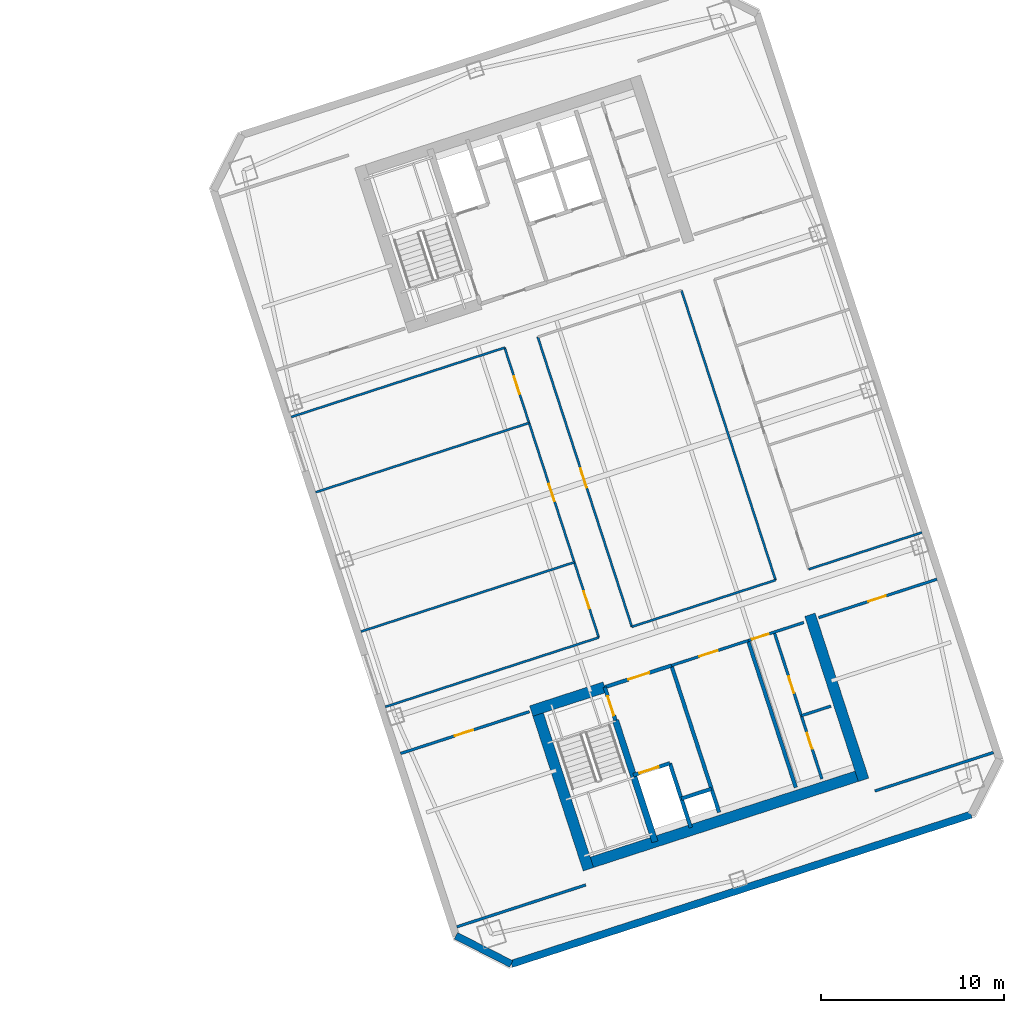
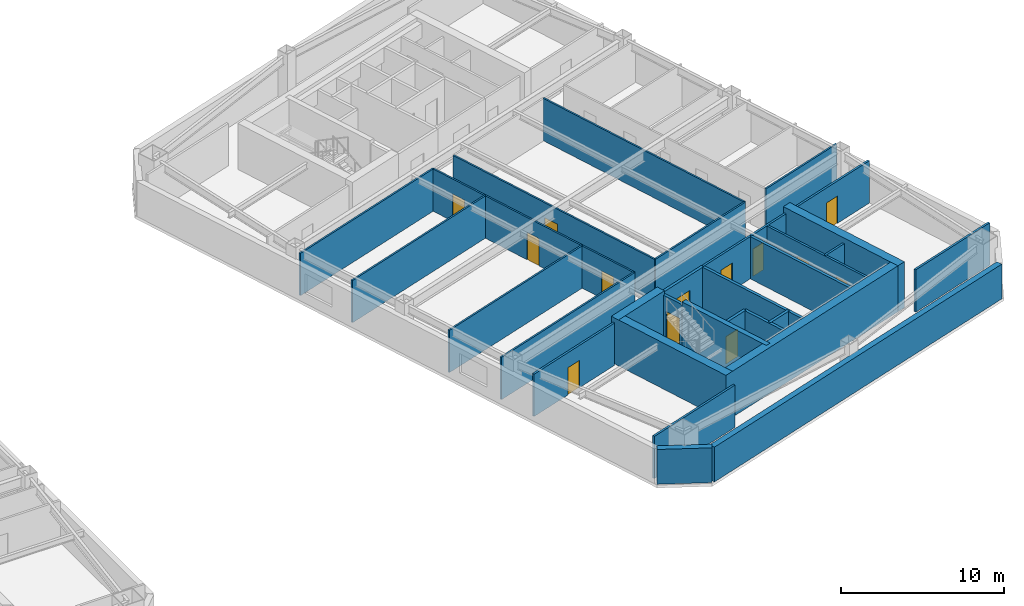
# One storey, part 9 of 14: 31 walls, 13 doors, 13 openings.
"""IFC4 building model written with IfcOpenShell, lengths in metres."""

from ifc_helpers import new_model, si_unit, direction, frame, frame_2d, origin, place, context, subcontext, project, spatial, rectangle, extrude, material, layer, layer_set, type_object, element, fill, save


model = new_model("IFC4")

# Units and contexts
model_context = context("Model", 3, precision=1e-05, world=origin(), true_north=direction((0.0, 1.0)))
body_context = subcontext(model_context, "Body", "Model", "MODEL_VIEW")
ifc_project = project(units=[si_unit("LENGTHUNIT", "METRE"), si_unit("AREAUNIT", "SQUARE_METRE"), si_unit("VOLUMEUNIT", "CUBIC_METRE"), si_unit("PLANEANGLEUNIT", "RADIAN"), si_unit("MASSUNIT", "GRAM", prefix="KILO")], contexts=[model_context])

# Site, building, storey
site_placement = place(None, origin())
site = spatial("IfcSite", under=ifc_project, at=site_placement, CompositionType="ELEMENT")
building_placement = place(site_placement, origin())
building = spatial("IfcBuilding", under=site, at=building_placement, Name="Qiaolan Cultural Towers", CompositionType="ELEMENT")
storey_placement = place(building_placement, frame((0.0, 0.0, 159.85009765625)))
storey = spatial("IfcBuildingStorey", under=building, at=storey_placement, Name="L42", CompositionType="ELEMENT", Elevation=159.85009765625)

# Walls
ifc_material_1 = material(Name="Concrete C50", Category="concrete")
ifc_layer_1 = layer(ifc_material_1, 0.35009765625)
ifc_layer_set_1 = layer_set([ifc_layer_1], Name="Concrete C50")
wall_type_1 = type_object("IfcWallType", Name="WL-CORE-350", PredefinedType="SHEAR", material=ifc_layer_set_1)
wall_1_placement = place(storey_placement, frame((90.486328125, 20.59423828125, 0.0), z_axis=(0.0, 0.0, 1.0), x_axis=(0.309020428229, -0.951055400562, 0.0)))
element("IfcWall", 1, at=wall_1_placement, inside=storey, type_object=wall_type_1, Name="L42 T2-CS Stair Core Dividing Web", PredefinedType="SHEAR", context=body_context, shape_type="SweptSolid", body=[
    extrude(rectangle(XDim=6.97998046875, YDim=0.35009765625, at=frame_2d((3.489990234375, 0.0))), origin(), (0.0, 0.0, 1.0), 3.449951171875),
])
ifc_material_2 = material(Name="Concrete C55", Category="concrete")
ifc_layer_2 = layer(ifc_material_2, 0.60009765625)
ifc_layer_set_2 = layer_set([ifc_layer_2], Name="Concrete C55")
wall_type_2 = type_object("IfcWallType", Name="WL-CORE-600", PredefinedType="SHEAR", material=ifc_layer_set_2)
wall_2_placement = place(storey_placement, frame((88.6298828125, 12.65185546875, 0.0), z_axis=(0.0, 0.0, 1.0), x_axis=(0.95105714907, 0.309015046886, 0.0)))
element("IfcWall", 2, at=wall_2_placement, inside=storey, type_object=wall_type_2, Name="L42 T2-CS Outer Core Shear Wall", PredefinedType="SHEAR", context=body_context, shape_type="SweptSolid", body=[
    extrude(rectangle(XDim=16.400146484375, YDim=0.60009765625, at=frame_2d((8.2001953125, 0.0))), origin(), (0.0, 0.0, 1.0), 3.449951171875),
])
wall_3_placement = place(storey_placement, frame((86.078369140625, 21.47509765625, 0.0), z_axis=(0.0, 0.0, 1.0), x_axis=(0.309017938678, -0.951056209472, 0.0)))
element("IfcWall", 3, at=wall_3_placement, inside=storey, type_object=wall_type_2, Name="L42 T2-CS West Core Shear Wall", PredefinedType="SHEAR", context=body_context, shape_type="SweptSolid", body=[
    extrude(rectangle(XDim=9.479736328125, YDim=0.60009765625, at=frame_2d((4.73974609375, 0.0))), origin(), (0.0, 0.0, 1.0), 3.449951171875),
])
wall_4_placement = place(storey_placement, frame((101.105224609375, 26.357666015625, 0.0), z_axis=(0.0, 0.0, 1.0), x_axis=(0.309010370028, -0.95105866865, 0.0)))
element("IfcWall", 4, at=wall_4_placement, inside=storey, type_object=wall_type_2, Name="L42 T2-CS East Core Shear Wall", PredefinedType="SHEAR", context=body_context, shape_type="SweptSolid", body=[
    extrude(rectangle(XDim=9.47998046875, YDim=0.60009765625, at=frame_2d((4.739990234375, 0.0))), origin(), (0.0, 0.0, 1.0), 3.449951171875),
])
wall_5_placement = place(storey_placement, frame((85.8857421875, 21.09716796875, 0.0), z_axis=(0.0, 0.0, 1.0), x_axis=(0.951068073652, 0.308981422225, 0.0)))
element("IfcWall", 5, at=wall_5_placement, inside=storey, type_object=wall_type_2, Name="L42 T2-CS Stair Front Shear Wall", PredefinedType="SHEAR", context=body_context, shape_type="SweptSolid", body=[
    extrude(rectangle(XDim=4.22021484375, YDim=0.60009765625, at=frame_2d((2.110107421875, 0.0))), origin(), (0.0, 0.0, 1.0), 3.449951171875),
])
ifc_material_3 = material(Name="Precast Concrete C50 Honed Stone Pier", Category="masonry")
ifc_layer_3 = layer(ifc_material_3, 0.39990234375)
ifc_layer_set_3 = layer_set([ifc_layer_3], Name="Precast Concrete C50 Honed Stone Pier")
wall_type_3 = type_object("IfcWallType", Name="WL-EXT-PIER-400", PredefinedType="SOLIDWALL", material=ifc_layer_set_3)
wall_6_placement = place(storey_placement, frame((109.908447265625, 15.44384765625, 0.0), z_axis=(0.0, 0.0, 1.0), x_axis=(-0.951057580055, -0.30901372044, 0.0)))
element("IfcWall", 6, at=wall_6_placement, inside=storey, type_object=wall_type_3, Name="L42 East Tower Precast Pier Facade Wall F7", PredefinedType="SOLIDWALL", context=body_context, shape_type="SweptSolid", body=[
    extrude(rectangle(XDim=26.39990234375, YDim=0.39990234375, at=frame_2d((13.199951171875, 0.0))), origin(), (0.0, 0.0, 1.0), 2.60986328125),
])
wall_7_placement = place(storey_placement, frame((84.800537109375, 7.285888671875, 0.0), z_axis=(0.0, 0.0, 1.0), x_axis=(-0.891020832027, 0.453962417932, 0.0)))
element("IfcWall", 7, at=wall_7_placement, inside=storey, type_object=wall_type_3, Name="L42 East Tower Precast Pier Facade Wall F8", PredefinedType="SOLIDWALL", context=body_context, shape_type="SweptSolid", body=[
    extrude(rectangle(XDim=3.39404296875, YDim=0.39990234375, at=frame_2d((1.697021484375, 0.0))), origin(), (0.0, 0.0, 1.0), 2.60986328125),
])

# Wall, opening, door
ifc_material_4 = material(Name="Concrete C35 Fire Wall", Category="concrete")
ifc_layer_4 = layer(ifc_material_4, 0.199951171875)
ifc_layer_set_4 = layer_set([ifc_layer_4], Name="Concrete C35 Fire Wall")
wall_type_4 = type_object("IfcWallType", Name="WL-FIRE-200", PredefinedType="PARTITIONING", material=ifc_layer_set_4)
wall_8_placement = place(storey_placement, frame((89.8994140625, 22.401123046875, 0.0), z_axis=(0.0, 0.0, 1.0), x_axis=(0.308932062672, -0.951084108086, 0.0)))
wall_8 = element("IfcWall", 8, at=wall_8_placement, inside=storey, type_object=wall_type_4, Name="L42 T2-CS Smokeproof Stair Entry Wall", PredefinedType="PARTITIONING", context=body_context, shape_type="SweptSolid", body=[
    extrude(rectangle(XDim=1.89990234375, YDim=0.199951171875, at=frame_2d((0.949951171875, 0.0))), origin(), (0.0, 0.0, 1.0), 3.1748046875),
])
opening_1_placement = place(wall_8_placement, frame((0.52001953125, 0.0, 0.0)))
opening_1 = element("IfcOpeningElement", 9, at=opening_1_placement, cuts=wall_8, Name="Opening FD-04", PredefinedType="OPENING", context=body_context, shape_type="SweptSolid", body=[
    extrude(rectangle(XDim=1.10009765625, YDim=2.050048828125, at=frame_2d((0.550048828125, 1.02490234375))), frame((0.0, 0.10986328125, 0.0), z_axis=(0.0, -1.0, 0.0), x_axis=(1.0, 0.0, 0.0)), (0.0, 0.0, 1.0), 0.219970703125),
])
ifc_material_5 = material(Name="Galvanized Steel Command Fire Door", Category="steel")
door_type_1 = type_object("IfcDoorType", Name="DR-FD90-1100", OperationType="NOTDEFINED", PredefinedType="DOOR", material=ifc_material_5)
door_1_placement = place(opening_1_placement, origin())
door_1 = element("IfcDoor", 10, at=door_1_placement, inside=storey, type_object=door_type_1, Name="L42 ST-E1 Smokeproof Stair Fire Door", OperationType="SINGLE_SWING_LEFT", OverallHeight=2.050048828125, OverallWidth=1.10009765625, PredefinedType="DOOR", context=body_context, shape_type="SweptSolid", body=[
    extrude(rectangle(XDim=1.10009765625, YDim=2.050048828125, at=frame_2d((0.550048828125, 1.02490234375))), frame((0.0, 0.02490234375, 0.0), z_axis=(0.0, -1.0, 0.0), x_axis=(1.0, 0.0, 0.0)), (0.0, 0.0, 1.0), 0.050048828125),
])
fill(opening_1, door_1)

# Wall
wall_9_placement = place(storey_placement, frame((93.541748046875, 23.584716796875, 0.0), z_axis=(0.0, 0.0, 1.0), x_axis=(0.309042196757, -0.951048327176, 0.0)))
element("IfcWall", 11, at=wall_9_placement, inside=storey, type_object=wall_type_4, Name="L42 T2-CS Firefighting Zone Wall", PredefinedType="PARTITIONING", context=body_context, shape_type="SweptSolid", body=[
    extrude(rectangle(XDim=8.429931640625, YDim=0.199951171875, at=frame_2d((4.21484375, 0.0))), origin(), (0.0, 0.0, 1.0), 3.1748046875),
])

# Wall, opening, door
wall_10_placement = place(storey_placement, frame((89.8994140625, 22.401123046875, 0.0), z_axis=(0.0, 0.0, 1.0), x_axis=(0.951046716504, 0.309047153403, 0.0)))
wall_10 = element("IfcWall", 12, at=wall_10_placement, inside=storey, type_object=wall_type_4, Name="L42 T2-CS Firefighting Lobby Front Wall", PredefinedType="PARTITIONING", context=body_context, shape_type="SweptSolid", body=[
    extrude(rectangle(XDim=3.829833984375, YDim=0.199951171875, at=frame_2d((1.9150390625, 0.0))), origin(), (0.0, 0.0, 1.0), 3.1748046875),
])
opening_2_placement = place(wall_10_placement, frame((1.35009765625, 0.0, 0.0)))
opening_2 = element("IfcOpeningElement", 13, at=opening_2_placement, cuts=wall_10, Name="Opening FD-03", PredefinedType="OPENING", context=body_context, shape_type="SweptSolid", body=[
    extrude(rectangle(XDim=1.199951171875, YDim=2.050048828125, at=frame_2d((0.60009765625, 1.02490234375))), frame((0.0, 0.10986328125, 0.0), z_axis=(0.0, -1.0, 0.0), x_axis=(1.0, 0.0, 0.0)), (0.0, 0.0, 1.0), 0.219970703125),
])
ifc_material_6 = material(Name="Galvanized Steel Smokeproof Lobby Fire Door", Category="steel")
door_type_2 = type_object("IfcDoorType", Name="DR-FD90-1200", OperationType="NOTDEFINED", PredefinedType="DOOR", material=ifc_material_6)
door_2_placement = place(opening_2_placement, origin())
door_2 = element("IfcDoor", 14, at=door_2_placement, inside=storey, type_object=door_type_2, Name="L42 FFL-E1 Firefighting Lobby Fire Door", OperationType="SINGLE_SWING_LEFT", OverallHeight=2.050048828125, OverallWidth=1.199951171875, PredefinedType="DOOR", context=body_context, shape_type="SweptSolid", body=[
    extrude(rectangle(XDim=1.199951171875, YDim=2.050048828125, at=frame_2d((0.60009765625, 1.02490234375))), frame((0.0, 0.02490234375, 0.0), z_axis=(0.0, -1.0, 0.0), x_axis=(1.0, 0.0, 0.0)), (0.0, 0.0, 1.0), 0.050048828125),
])
fill(opening_2, door_2)

wall_11_placement = place(storey_placement, frame((91.459716796875, 17.598388671875, 0.0), z_axis=(0.0, 0.0, 1.0), x_axis=(0.951062257173, 0.308999325213, 0.0)))
wall_11 = element("IfcWall", 15, at=wall_11_placement, inside=storey, type_object=wall_type_4, Name="L42 T2-CS Firefighting Shaft Front Wall", PredefinedType="PARTITIONING", context=body_context, shape_type="SweptSolid", body=[
    extrude(rectangle(XDim=2.10009765625, YDim=0.199951171875, at=frame_2d((1.050048828125, 0.0))), origin(), (0.0, 0.0, 1.0), 3.1748046875),
])
opening_3_placement = place(wall_11_placement, frame((0.35009765625, 0.0, 0.0)))
opening_3 = element("IfcOpeningElement", 16, at=opening_3_placement, cuts=wall_11, Name="Opening LD-01", PredefinedType="OPENING", context=body_context, shape_type="SweptSolid", body=[
    extrude(rectangle(XDim=1.10009765625, YDim=2.050048828125, at=frame_2d((0.550048828125, 1.02490234375))), frame((0.0, 0.10986328125, 0.0), z_axis=(0.0, -1.0, 0.0), x_axis=(1.0, 0.0, 0.0)), (0.0, 0.0, 1.0), 0.219970703125),
])
ifc_material_7 = material(Name="Brushed Stainless Steel S30408 Centre-Parting Lift Landing Door", Category="steel")
door_type_3 = type_object("IfcDoorType", Name="DR-LIFT-1100", OperationType="NOTDEFINED", PredefinedType="DOOR", material=ifc_material_7)
door_3_placement = place(opening_3_placement, origin())
door_3 = element("IfcDoor", 17, at=door_3_placement, inside=storey, type_object=door_type_3, Name="L42 FFL-E1 Firefighting Lift Landing Door", OperationType="DOUBLE_DOOR_SLIDING", OverallHeight=2.050048828125, OverallWidth=1.10009765625, PredefinedType="DOOR", context=body_context, shape_type="SweptSolid", body=[
    extrude(rectangle(XDim=1.10009765625, YDim=2.050048828125, at=frame_2d((0.550048828125, 1.02490234375))), frame((0.0, 0.02490234375, 0.0), z_axis=(0.0, -1.0, 0.0), x_axis=(1.0, 0.0, 0.0)), (0.0, 0.0, 1.0), 0.050048828125),
])
fill(opening_3, door_3)

# Walls
wall_12_placement = place(storey_placement, frame((93.45703125, 18.247314453125, 0.0), z_axis=(0.0, 0.0, 1.0), x_axis=(0.3089935693, -0.951064127245, 0.0)))
element("IfcWall", 18, at=wall_12_placement, inside=storey, type_object=wall_type_4, Name="L42 T2-CS Firefighting Hoistway East Wall", PredefinedType="PARTITIONING", context=body_context, shape_type="SweptSolid", body=[
    extrude(rectangle(XDim=3.7001953125, YDim=0.199951171875, at=frame_2d((1.85009765625, 0.0))), origin(), (0.0, 0.0, 1.0), 3.1748046875),
])
wall_13_placement = place(storey_placement, frame((94.08447265625, 16.316650390625, 0.0), z_axis=(0.0, 0.0, 1.0), x_axis=(0.951041328149, 0.309063734775, 0.0)))
element("IfcWall", 19, at=wall_13_placement, inside=storey, type_object=wall_type_4, Name="L42 T2-CS Pressurization Shaft Front Wall", PredefinedType="PARTITIONING", context=body_context, shape_type="SweptSolid", body=[
    extrude(rectangle(XDim=1.72998046875, YDim=0.199951171875, at=frame_2d((0.864990234375, 0.0))), origin(), (0.0, 0.0, 1.0), 3.1748046875),
])
wall_14_placement = place(storey_placement, frame((97.7265625, 24.9443359375, 0.0), z_axis=(0.0, 0.0, 1.0), x_axis=(0.309016001439, -0.951056838919, 0.0)))
element("IfcWall", 20, at=wall_14_placement, inside=storey, type_object=wall_type_4, Name="L42 T2-CS Lift Core East Wall", PredefinedType="PARTITIONING", context=body_context, shape_type="SweptSolid", body=[
    extrude(rectangle(XDim=8.429931640625, YDim=0.199951171875, at=frame_2d((4.21484375, 0.0))), origin(), (0.0, 0.0, 1.0), 3.1748046875),
])
ifc_material_8 = material(Name="Gypsum Stud Acoustic Partition", Category="gypsum")
ifc_layer_5 = layer(ifc_material_8, 0.1201171875)
ifc_layer_set_5 = layer_set([ifc_layer_5], Name="Gypsum Stud Acoustic Partition")
wall_type_5 = type_object("IfcWallType", Name="WL-PART-120", PredefinedType="PARTITIONING", material=ifc_layer_set_5)
wall_15_placement = place(storey_placement, frame((77.9248046875, 21.328369140625, 0.0), z_axis=(0.0, 0.0, 1.0), x_axis=(0.95105749975, 0.309013967595, 0.0)))
element("IfcWall", 21, at=wall_15_placement, inside=storey, type_object=wall_type_5, Name="L42 T2 Interior Wall", PredefinedType="PARTITIONING", context=body_context, shape_type="SweptSolid", body=[
    extrude(rectangle(XDim=12.25, YDim=0.1201171875, at=frame_2d((6.125, 0.0))), origin(), (0.0, 0.0, 1.0), 3.1748046875),
])
wall_16_placement = place(storey_placement, frame((91.382080078125, 25.700927734375, 0.0), z_axis=(0.0, 0.0, 1.0), x_axis=(0.951061683147, 0.309001091988, 0.0)))
element("IfcWall", 22, at=wall_16_placement, inside=storey, type_object=wall_type_5, Name="L42 T2 Interior Wall", PredefinedType="PARTITIONING", context=body_context, shape_type="SweptSolid", body=[
    extrude(rectangle(XDim=8.250244140625, YDim=0.1201171875, at=frame_2d((4.125, 0.0))), origin(), (0.0, 0.0, 1.0), 3.1748046875),
])
wall_17_placement = place(storey_placement, frame((101.035400390625, 28.83740234375, 0.0), z_axis=(0.0, 0.0, 1.0), x_axis=(0.95104869662, 0.309041059824, 0.0)))
element("IfcWall", 23, at=wall_17_placement, inside=storey, type_object=wall_type_5, Name="L42 T2 Interior Wall", PredefinedType="PARTITIONING", context=body_context, shape_type="SweptSolid", body=[
    extrude(rectangle(XDim=6.5, YDim=0.1201171875, at=frame_2d((3.25, 0.0))), origin(), (0.0, 0.0, 1.0), 3.1748046875),
])
wall_18_placement = place(storey_placement, frame((72.78271484375, 37.15380859375, 0.0), z_axis=(0.0, 0.0, 1.0), x_axis=(0.9510516424, 0.30903199428, 0.0)))
element("IfcWall", 24, at=wall_18_placement, inside=storey, type_object=wall_type_5, Name="L42 T2 Interior Wall", PredefinedType="PARTITIONING", context=body_context, shape_type="SweptSolid", body=[
    extrude(rectangle(XDim=12.25, YDim=0.1201171875, at=frame_2d((6.125, 0.0))), origin(), (0.0, 0.0, 1.0), 3.1748046875),
])

# Wall, openings, doors
wall_19_placement = place(storey_placement, frame((89.5751953125, 25.11376953125, 0.0), z_axis=(0.0, 0.0, 1.0), x_axis=(-0.30901773025, 0.951056277195, 0.0)))
wall_19 = element("IfcWall", 25, at=wall_19_placement, inside=storey, type_object=wall_type_5, Name="L42 T2 Interior Wall", PredefinedType="PARTITIONING", context=body_context, shape_type="SweptSolid", body=[
    extrude(rectangle(XDim=16.64013671875, YDim=0.1201171875, at=frame_2d((8.320068359375, 0.0))), origin(), (0.0, 0.0, 1.0), 3.1748046875),
])
opening_4_placement = place(wall_19_placement, frame((1.659912109375, 0.0, 0.0)))
opening_4 = element("IfcOpeningElement", 26, at=opening_4_placement, cuts=wall_19, Name="Opening ID-04", PredefinedType="OPENING", context=body_context, shape_type="SweptSolid", body=[
    extrude(rectangle(XDim=1.0, YDim=2.050048828125, at=frame_2d((0.5, 1.02490234375))), frame((0.0, 0.070068359375, 0.0), z_axis=(0.0, -1.0, 0.0), x_axis=(1.0, 0.0, 0.0)), (0.0, 0.0, 1.0), 0.14013671875),
])
opening_5_placement = place(wall_19_placement, frame((7.820068359375, 0.0, 0.0)))
opening_5 = element("IfcOpeningElement", 27, at=opening_5_placement, cuts=wall_19, Name="Opening ID-04", PredefinedType="OPENING", context=body_context, shape_type="SweptSolid", body=[
    extrude(rectangle(XDim=1.0, YDim=2.050048828125, at=frame_2d((0.5, 1.02490234375))), frame((0.0, 0.070068359375, 0.0), z_axis=(0.0, -1.0, 0.0), x_axis=(1.0, 0.0, 0.0)), (0.0, 0.0, 1.0), 0.14013671875),
])
opening_6_placement = place(wall_19_placement, frame((13.97998046875, 0.0, 0.0)))
opening_6 = element("IfcOpeningElement", 28, at=opening_6_placement, cuts=wall_19, Name="Opening ID-04", PredefinedType="OPENING", context=body_context, shape_type="SweptSolid", body=[
    extrude(rectangle(XDim=1.0, YDim=2.050048828125, at=frame_2d((0.5, 1.02490234375))), frame((0.0, 0.070068359375, 0.0), z_axis=(0.0, -1.0, 0.0), x_axis=(1.0, 0.0, 0.0)), (0.0, 0.0, 1.0), 0.14013671875),
])
ifc_material_9 = material(Name="Oak Veneer Acoustic Office Door", Category="timber")
door_type_4 = type_object("IfcDoorType", Name="DR-INT-1000", OperationType="NOTDEFINED", PredefinedType="DOOR", material=ifc_material_9)
door_4_placement = place(opening_4_placement, origin())
door_4 = element("IfcDoor", 29, at=door_4_placement, inside=storey, type_object=door_type_4, Name="L42 T2 Members Sky Club Door", OperationType="SINGLE_SWING_LEFT", OverallHeight=2.050048828125, OverallWidth=1.0, PredefinedType="DOOR", context=body_context, shape_type="SweptSolid", body=[
    extrude(rectangle(XDim=1.0, YDim=2.050048828125, at=frame_2d((0.5, 1.02490234375))), frame((0.0, 0.02490234375, 0.0), z_axis=(0.0, -1.0, 0.0), x_axis=(1.0, 0.0, 0.0)), (0.0, 0.0, 1.0), 0.050048828125),
])
fill(opening_4, door_4)
door_5_placement = place(opening_5_placement, origin())
door_5 = element("IfcDoor", 30, at=door_5_placement, inside=storey, type_object=door_type_4, Name="L42 T2 Members Sky Club Door", OperationType="SINGLE_SWING_RIGHT", OverallHeight=2.050048828125, OverallWidth=1.0, PredefinedType="DOOR", context=body_context, shape_type="SweptSolid", body=[
    extrude(rectangle(XDim=1.0, YDim=2.050048828125, at=frame_2d((0.5, 1.02490234375))), frame((0.0, 0.02490234375, 0.0), z_axis=(0.0, -1.0, 0.0), x_axis=(1.0, 0.0, 0.0)), (0.0, 0.0, 1.0), 0.050048828125),
])
fill(opening_5, door_5)
door_6_placement = place(opening_6_placement, origin())
door_6 = element("IfcDoor", 31, at=door_6_placement, inside=storey, type_object=door_type_4, Name="L42 T2 Members Sky Club Door", OperationType="SINGLE_SWING_LEFT", OverallHeight=2.050048828125, OverallWidth=1.0, PredefinedType="DOOR", context=body_context, shape_type="SweptSolid", body=[
    extrude(rectangle(XDim=1.0, YDim=2.050048828125, at=frame_2d((0.5, 1.02490234375))), frame((0.0, 0.02490234375, 0.0), z_axis=(0.0, -1.0, 0.0), x_axis=(1.0, 0.0, 0.0)), (0.0, 0.0, 1.0), 0.050048828125),
])
fill(opening_6, door_6)

# Wall, opening, door
wall_20_placement = place(storey_placement, frame((91.382080078125, 25.700927734375, 0.0), z_axis=(0.0, 0.0, 1.0), x_axis=(-0.309004459387, 0.951060589068, 0.0)))
wall_20 = element("IfcWall", 32, at=wall_20_placement, inside=storey, type_object=wall_type_5, Name="L42 T2 Interior Wall", PredefinedType="PARTITIONING", context=body_context, shape_type="SweptSolid", body=[
    extrude(rectangle(XDim=16.64013671875, YDim=0.1201171875, at=frame_2d((8.320068359375, 0.0))), origin(), (0.0, 0.0, 1.0), 3.1748046875),
])
opening_7_placement = place(wall_20_placement, frame((7.9873046875, 0.0, 0.0)))
opening_7 = element("IfcOpeningElement", 33, at=opening_7_placement, cuts=wall_20, Name="Opening ID-03", PredefinedType="OPENING", context=body_context, shape_type="SweptSolid", body=[
    extrude(rectangle(XDim=1.10009765625, YDim=2.050048828125, at=frame_2d((0.550048828125, 1.02490234375))), frame((0.0, 0.070068359375, 0.0), z_axis=(0.0, -1.0, 0.0), x_axis=(1.0, 0.0, 0.0)), (0.0, 0.0, 1.0), 0.14013671875),
])
ifc_material_10 = material(Name="Oak Veneer Solid-Core Boardroom Door", Category="timber")
door_type_5 = type_object("IfcDoorType", Name="DR-INT-1100", OperationType="NOTDEFINED", PredefinedType="DOOR", material=ifc_material_10)
door_7_placement = place(opening_7_placement, origin())
door_7 = element("IfcDoor", 34, at=door_7_placement, inside=storey, type_object=door_type_5, Name="L42 T2 Central Colloquium Hall Door", OperationType="SINGLE_SWING_LEFT", OverallHeight=2.050048828125, OverallWidth=1.10009765625, PredefinedType="DOOR", context=body_context, shape_type="SweptSolid", body=[
    extrude(rectangle(XDim=1.10009765625, YDim=2.050048828125, at=frame_2d((0.550048828125, 1.02490234375))), frame((0.0, 0.02490234375, 0.0), z_axis=(0.0, -1.0, 0.0), x_axis=(1.0, 0.0, 0.0)), (0.0, 0.0, 1.0), 0.050048828125),
])
fill(opening_7, door_7)

# Walls
wall_21_placement = place(storey_placement, frame((99.228515625, 28.250244140625, 0.0), z_axis=(0.0, 0.0, 1.0), x_axis=(-0.30901773025, 0.951056277195, 0.0)))
element("IfcWall", 35, at=wall_21_placement, inside=storey, type_object=wall_type_5, Name="L42 T2 Interior Wall", PredefinedType="PARTITIONING", context=body_context, shape_type="SweptSolid", body=[
    extrude(rectangle(XDim=16.64013671875, YDim=0.1201171875, at=frame_2d((8.320068359375, 0.0))), origin(), (0.0, 0.0, 1.0), 3.1748046875),
])
for number, where, z_axis, x_axis, name in (
    (36, (76.58984375, 25.43701171875, 0.0), (0.0, 0.0, 1.0), (0.95105749975, 0.309013967595, 0.0), "L42 T2 Interior Wall"),
    (37, (74.11767578125, 33.04541015625, 0.0), (0.0, 0.0, 1.0), (0.95105749975, 0.309013967595, 0.0), "L42 T2 Interior Wall"),
):
    element("IfcWall", number, at=place(storey_placement, frame(where, z_axis=z_axis, x_axis=x_axis)), inside=storey, type_object=wall_type_5, Name=name, PredefinedType="PARTITIONING", context=body_context, shape_type="SweptSolid", body=[
        extrude(rectangle(XDim=12.25, YDim=0.1201171875, at=frame_2d((6.125, 0.0))), origin(), (0.0, 0.0, 1.0), 3.1748046875),
    ])

# Wall, opening, door
ifc_material_11 = material(Name="Autoclaved Aerated Concrete Block B06", Category="concrete")
ifc_layer_6 = layer(ifc_material_11, 0.14990234375)
ifc_layer_set_6 = layer_set([ifc_layer_6], Name="Autoclaved Aerated Concrete Block B06")
wall_type_6 = type_object("IfcWallType", Name="WL-PART-150", PredefinedType="PARTITIONING", material=ifc_layer_set_6)
wall_22_placement = place(storey_placement, frame((93.541748046875, 23.584716796875, 0.0), z_axis=(0.0, 0.0, 1.0), x_axis=(0.951063829732, 0.308994485023, 0.0)))
wall_22 = element("IfcWall", 38, at=wall_22_placement, inside=storey, type_object=wall_type_6, Name="L42 T2-CS Reclaimed Core Room Front Wall", PredefinedType="PARTITIONING", context=body_context, shape_type="SweptSolid", body=[
    extrude(rectangle(XDim=4.400146484375, YDim=0.14990234375, at=frame_2d((2.2001953125, 0.0))), origin(), (0.0, 0.0, 1.0), 3.1748046875),
])
opening_8_placement = place(wall_22_placement, frame((1.60009765625, 0.0, 0.0)))
opening_8 = element("IfcOpeningElement", 39, at=opening_8_placement, cuts=wall_22, Name="Opening ID-07", PredefinedType="OPENING", context=body_context, shape_type="SweptSolid", body=[
    extrude(rectangle(XDim=1.050048828125, YDim=2.050048828125, at=frame_2d((0.52490234375, 1.02490234375))), frame((0.0, 0.0849609375, 0.0), z_axis=(0.0, -1.0, 0.0), x_axis=(1.0, 0.0, 0.0)), (0.0, 0.0, 1.0), 0.169921875),
])
ifc_material_12 = material(Name="Oak Veneer Consultation Door", Category="timber")
door_type_6 = type_object("IfcDoorType", Name="DR-INT-1050", OperationType="NOTDEFINED", PredefinedType="DOOR", material=ifc_material_12)
door_8_placement = place(opening_8_placement, origin())
door_8 = element("IfcDoor", 40, at=door_8_placement, inside=storey, type_object=door_type_6, Name="L42 Reclaimed Archive Room Door", OperationType="SINGLE_SWING_LEFT", OverallHeight=2.050048828125, OverallWidth=1.050048828125, PredefinedType="DOOR", context=body_context, shape_type="SweptSolid", body=[
    extrude(rectangle(XDim=1.050048828125, YDim=2.050048828125, at=frame_2d((0.52490234375, 1.02490234375))), frame((0.0, 0.02490234375, 0.0), z_axis=(0.0, -1.0, 0.0), x_axis=(1.0, 0.0, 0.0)), (0.0, 0.0, 1.0), 0.050048828125),
])
fill(opening_8, door_8)

wall_23_placement = place(storey_placement, frame((97.7265625, 24.9443359375, 0.0), z_axis=(0.0, 0.0, 1.0), x_axis=(0.951036872128, 0.309077446369, 0.0)))
wall_23 = element("IfcWall", 41, at=wall_23_placement, inside=storey, type_object=wall_type_6, Name="L42 T2-CS Sanitary Core Front Wall", PredefinedType="PARTITIONING", context=body_context, shape_type="SweptSolid", body=[
    extrude(rectangle(XDim=3.199951171875, YDim=0.14990234375, at=frame_2d((1.60009765625, 0.0))), origin(), (0.0, 0.0, 1.0), 3.1748046875),
])
opening_9_placement = place(wall_23_placement, frame((0.219970703125, 0.0, 0.0)))
opening_9 = element("IfcOpeningElement", 42, at=opening_9_placement, cuts=wall_23, Name="Opening ID-05", PredefinedType="OPENING", context=body_context, shape_type="SweptSolid", body=[
    extrude(rectangle(XDim=0.949951171875, YDim=2.050048828125, at=frame_2d((0.47509765625, 1.02490234375))), frame((0.0, 0.0849609375, 0.0), z_axis=(0.0, -1.0, 0.0), x_axis=(1.0, 0.0, 0.0)), (0.0, 0.0, 1.0), 0.169921875),
])
ifc_material_13 = material(Name="Fire-Rated Laminate Accessible Core Door", Category="timber")
door_type_7 = type_object("IfcDoorType", Name="DR-INT-950", OperationType="NOTDEFINED", PredefinedType="DOOR", material=ifc_material_13)
door_9_placement = place(opening_9_placement, origin())
door_9 = element("IfcDoor", 43, at=door_9_placement, inside=storey, type_object=door_type_7, Name="L42 Sanitary Lobby Door", OperationType="SINGLE_SWING_LEFT", OverallHeight=2.050048828125, OverallWidth=0.949951171875, PredefinedType="DOOR", context=body_context, shape_type="SweptSolid", body=[
    extrude(rectangle(XDim=0.949951171875, YDim=2.050048828125, at=frame_2d((0.47509765625, 1.02490234375))), frame((0.0, 0.02490234375, 0.0), z_axis=(0.0, -1.0, 0.0), x_axis=(1.0, 0.0, 0.0)), (0.0, 0.0, 1.0), 0.050048828125),
])
fill(opening_9, door_9)

# Wall, openings, doors
wall_24_placement = place(storey_placement, frame((99.153076171875, 25.407958984375, 0.0), z_axis=(0.0, 0.0, 1.0), x_axis=(0.309016001439, -0.951056838919, 0.0)))
wall_24 = element("IfcWall", 44, at=wall_24_placement, inside=storey, type_object=wall_type_6, Name="L42 T2-CS Washroom Split Wall", PredefinedType="PARTITIONING", context=body_context, shape_type="SweptSolid", body=[
    extrude(rectangle(XDim=8.429931640625, YDim=0.14990234375, at=frame_2d((4.21484375, 0.0))), origin(), (0.0, 0.0, 1.0), 3.1748046875),
])
opening_10_placement = place(wall_24_placement, frame((2.550048828125, 0.0, 0.0)))
opening_10 = element("IfcOpeningElement", 45, at=opening_10_placement, cuts=wall_24, Name="Opening ID-05", PredefinedType="OPENING", context=body_context, shape_type="SweptSolid", body=[
    extrude(rectangle(XDim=0.949951171875, YDim=2.050048828125, at=frame_2d((0.47509765625, 1.02490234375))), frame((0.0, 0.0849609375, 0.0), z_axis=(0.0, -1.0, 0.0), x_axis=(1.0, 0.0, 0.0)), (0.0, 0.0, 1.0), 0.169921875),
])
opening_11_placement = place(wall_24_placement, frame((5.800048828125, 0.0, 0.0)))
opening_11 = element("IfcOpeningElement", 46, at=opening_11_placement, cuts=wall_24, Name="Opening ID-06", PredefinedType="OPENING", context=body_context, shape_type="SweptSolid", body=[
    extrude(rectangle(XDim=0.89990234375, YDim=2.050048828125, at=frame_2d((0.449951171875, 1.02490234375))), frame((0.0, 0.0849609375, 0.0), z_axis=(0.0, -1.0, 0.0), x_axis=(1.0, 0.0, 0.0)), (0.0, 0.0, 1.0), 0.169921875),
])
ifc_material_14 = material(Name="Fire-Rated Laminate Core Service Door", Category="timber")
door_type_8 = type_object("IfcDoorType", Name="DR-INT-900", OperationType="NOTDEFINED", PredefinedType="DOOR", material=ifc_material_14)
door_10_placement = place(opening_11_placement, origin())
door_10 = element("IfcDoor", 47, at=door_10_placement, inside=storey, type_object=door_type_8, Name="L42 First-Aid Room Door", OperationType="SINGLE_SWING_RIGHT", OverallHeight=2.050048828125, OverallWidth=0.89990234375, PredefinedType="DOOR", context=body_context, shape_type="SweptSolid", body=[
    extrude(rectangle(XDim=0.89990234375, YDim=2.050048828125, at=frame_2d((0.449951171875, 1.02490234375))), frame((0.0, 0.02490234375, 0.0), z_axis=(0.0, -1.0, 0.0), x_axis=(1.0, 0.0, 0.0)), (0.0, 0.0, 1.0), 0.050048828125),
])
fill(opening_11, door_10)
door_11_placement = place(opening_10_placement, origin())
door_11 = element("IfcDoor", 48, at=door_11_placement, inside=storey, type_object=door_type_7, Name="L42 Accessible Washroom Door", OperationType="SINGLE_SWING_LEFT", OverallHeight=2.050048828125, OverallWidth=0.949951171875, PredefinedType="DOOR", context=body_context, shape_type="SweptSolid", body=[
    extrude(rectangle(XDim=0.949951171875, YDim=2.050048828125, at=frame_2d((0.47509765625, 1.02490234375))), frame((0.0, 0.02490234375, 0.0), z_axis=(0.0, -1.0, 0.0), x_axis=(1.0, 0.0, 0.0)), (0.0, 0.0, 1.0), 0.050048828125),
])
fill(opening_10, door_11)

# Walls
wall_25_placement = place(storey_placement, frame((100.636474609375, 20.8427734375, 0.0), z_axis=(0.0, 0.0, 1.0), x_axis=(0.951040401051, 0.309066587596, 0.0)))
element("IfcWall", 49, at=wall_25_placement, inside=storey, type_object=wall_type_6, Name="L42 T2-CS First-Aid Wall", PredefinedType="PARTITIONING", context=body_context, shape_type="SweptSolid", body=[
    extrude(rectangle(XDim=1.699951171875, YDim=0.14990234375, at=frame_2d((0.85009765625, 0.0))), origin(), (0.0, 0.0, 1.0), 3.1748046875),
])
wall_26_placement = place(storey_placement, frame((81.82763671875, 9.31640625, 0.0), z_axis=(0.0, 0.0, 1.0), x_axis=(0.95105128112, 0.309033106124, 0.0)))
element("IfcWall", 50, at=wall_26_placement, inside=storey, type_object=wall_type_6, Name="L42 T2 Flank Wall FLK-SW", PredefinedType="PARTITIONING", context=body_context, shape_type="SweptSolid", body=[
    extrude(rectangle(XDim=7.400146484375, YDim=0.14990234375, at=frame_2d((3.7001953125, 0.0))), origin(), (0.0, 0.0, 1.0), 3.1748046875),
])

# Wall, opening, door
wall_27_placement = place(storey_placement, frame((78.7529296875, 18.779541015625, 0.0), z_axis=(0.0, 0.0, 1.0), x_axis=(0.951060977215, 0.309003264738, 0.0)))
wall_27 = element("IfcWall", 51, at=wall_27_placement, inside=storey, type_object=wall_type_6, Name="L42 T2 Flank Front FLK-SW", PredefinedType="PARTITIONING", context=body_context, shape_type="SweptSolid", body=[
    extrude(rectangle(XDim=7.39990234375, YDim=0.14990234375, at=frame_2d((3.699951171875, 0.0))), origin(), (0.0, 0.0, 1.0), 3.1748046875),
])
opening_12_placement = place(wall_27_placement, frame((3.10791015625, 0.0, 0.0)))
opening_12 = element("IfcOpeningElement", 52, at=opening_12_placement, cuts=wall_27, Name="Opening ID-07", PredefinedType="OPENING", context=body_context, shape_type="SweptSolid", body=[
    extrude(rectangle(XDim=1.050048828125, YDim=2.050048828125, at=frame_2d((0.52490234375, 1.02490234375))), frame((0.0, 0.0849609375, 0.0), z_axis=(0.0, -1.0, 0.0), x_axis=(1.0, 0.0, 0.0)), (0.0, 0.0, 1.0), 0.169921875),
])
door_12_placement = place(opening_12_placement, origin())
door_12 = element("IfcDoor", 53, at=door_12_placement, inside=storey, type_object=door_type_6, Name="L42 T2 Corner Studio Door", OperationType="SINGLE_SWING_LEFT", OverallHeight=2.050048828125, OverallWidth=1.050048828125, PredefinedType="DOOR", context=body_context, shape_type="SweptSolid", body=[
    extrude(rectangle(XDim=1.050048828125, YDim=2.050048828125, at=frame_2d((0.52490234375, 1.02490234375))), frame((0.0, 0.02490234375, 0.0), z_axis=(0.0, -1.0, 0.0), x_axis=(1.0, 0.0, 0.0)), (0.0, 0.0, 1.0), 0.050048828125),
])
fill(opening_12, door_12)

# Wall
wall_28_placement = place(storey_placement, frame((104.653076171875, 16.73291015625, 0.0), z_axis=(0.0, 0.0, 1.0), x_axis=(0.951054383043, 0.309023559774, 0.0)))
element("IfcWall", 54, at=wall_28_placement, inside=storey, type_object=wall_type_6, Name="L42 T2 Flank Wall FLK-SE", PredefinedType="PARTITIONING", context=body_context, shape_type="SweptSolid", body=[
    extrude(rectangle(XDim=6.7998046875, YDim=0.14990234375, at=frame_2d((3.39990234375, 0.0))), origin(), (0.0, 0.0, 1.0), 3.1748046875),
])

# Wall, opening, door
wall_29_placement = place(storey_placement, frame((101.578369140625, 26.196044921875, 0.0), z_axis=(0.0, 0.0, 1.0), x_axis=(0.951064934653, 0.308991084134, 0.0)))
wall_29 = element("IfcWall", 55, at=wall_29_placement, inside=storey, type_object=wall_type_6, Name="L42 T2 Flank Front FLK-SE", PredefinedType="PARTITIONING", context=body_context, shape_type="SweptSolid", body=[
    extrude(rectangle(XDim=6.7998046875, YDim=0.14990234375, at=frame_2d((3.39990234375, 0.0))), origin(), (0.0, 0.0, 1.0), 3.1748046875),
])
opening_13_placement = place(wall_29_placement, frame((2.85595703125, 0.0, 0.0)))
opening_13 = element("IfcOpeningElement", 56, at=opening_13_placement, cuts=wall_29, Name="Opening ID-04", PredefinedType="OPENING", context=body_context, shape_type="SweptSolid", body=[
    extrude(rectangle(XDim=1.0, YDim=2.050048828125, at=frame_2d((0.5, 1.02490234375))), frame((0.0, 0.0849609375, 0.0), z_axis=(0.0, -1.0, 0.0), x_axis=(1.0, 0.0, 0.0)), (0.0, 0.0, 1.0), 0.169921875),
])
door_13_placement = place(opening_13_placement, origin())
door_13 = element("IfcDoor", 57, at=door_13_placement, inside=storey, type_object=door_type_4, Name="L42 T2 Corner Studio Door", OperationType="SINGLE_SWING_LEFT", OverallHeight=2.050048828125, OverallWidth=1.0, PredefinedType="DOOR", context=body_context, shape_type="SweptSolid", body=[
    extrude(rectangle(XDim=1.0, YDim=2.050048828125, at=frame_2d((0.5, 1.02490234375))), frame((0.0, 0.02490234375, 0.0), z_axis=(0.0, -1.0, 0.0), x_axis=(1.0, 0.0, 0.0)), (0.0, 0.0, 1.0), 0.050048828125),
])
fill(opening_13, door_13)

save(model, "model.ifc")
